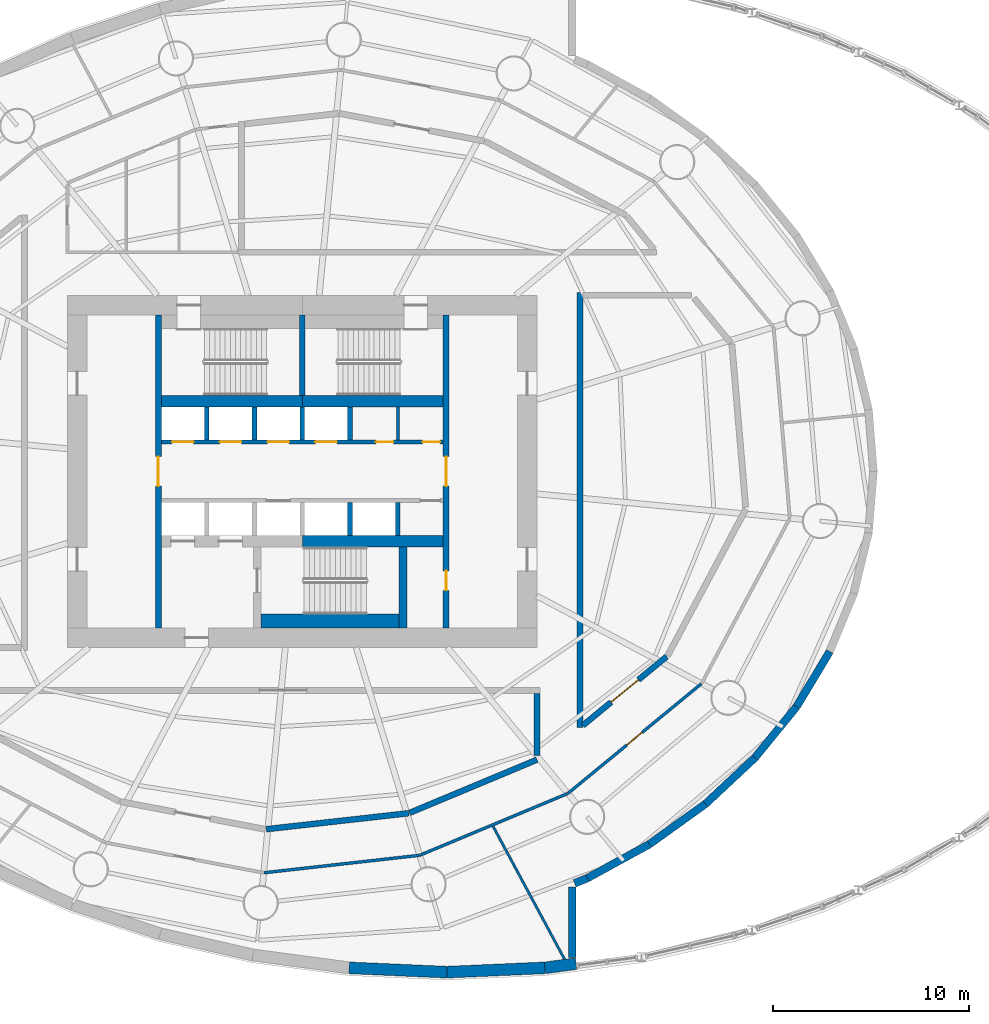
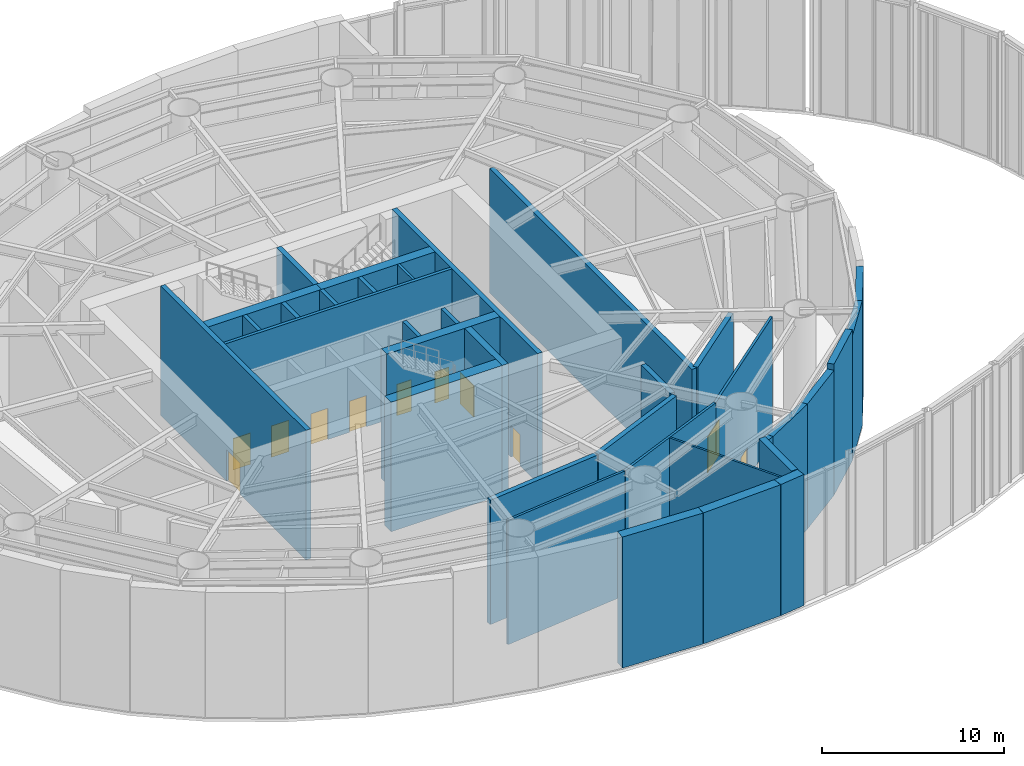
# One storey, part 15 of 19: 35 walls, 11 doors, 11 openings.
"""IFC4 building model written with IfcOpenShell, lengths in metres."""

from ifc_helpers import new_model, si_unit, direction, frame, frame_2d, origin, place, context, subcontext, project, spatial, rectangle, extrude, material, layer, layer_set, type_object, element, fill, save


model = new_model("IFC4")

# Units and contexts
model_context = context("Model", 3, precision=1e-05, world=origin(), true_north=direction((0.0, 1.0)))
body_context = subcontext(model_context, "Body", "Model", "MODEL_VIEW")
ifc_project = project(units=[si_unit("LENGTHUNIT", "METRE"), si_unit("AREAUNIT", "SQUARE_METRE"), si_unit("VOLUMEUNIT", "CUBIC_METRE"), si_unit("PLANEANGLEUNIT", "RADIAN"), si_unit("MASSUNIT", "GRAM", prefix="KILO")], contexts=[model_context])

# Site, building, storey
site_placement = place(None, origin())
site = spatial("IfcSite", under=ifc_project, at=site_placement, CompositionType="ELEMENT")
building_placement = place(site_placement, origin())
building = spatial("IfcBuilding", under=site, at=building_placement, Name="Vermilion Reach Broadcast Tower", CompositionType="ELEMENT")
storey_placement = place(building_placement, frame((0.0, 0.0, 17.0)))
storey = spatial("IfcBuildingStorey", under=building, at=storey_placement, Name="L02", CompositionType="ELEMENT", Elevation=17.0)

# Walls
ifc_material_1 = material(Name="Precast concrete C40/50 with acoustic cladding", Category="concrete")
ifc_layer_1 = layer(ifc_material_1, 0.39990234375)
ifc_layer_set_1 = layer_set([ifc_layer_1], Name="Atrium end wall 400")
wall_type_1 = type_object("IfcWallType", Name="Atrium end wall 400", PredefinedType="SOLIDWALL", material=ifc_layer_set_1)
wall_1_placement = place(storey_placement, frame((17.14013671875, -14.639892578125, 0.0), z_axis=(0.0, 0.0, 1.0), x_axis=(-0.730641209912, -0.682761614605, 0.0)))
element("IfcWall", 1, at=wall_1_placement, inside=storey, type_object=wall_type_1, Name="Podium wall L02 dru14", PredefinedType="SOLIDWALL", context=body_context, shape_type="SweptSolid", body=[
    extrude(rectangle(XDim=3.4521484375, YDim=0.39990234375, at=frame_2d((1.72607421875, 0.0))), origin(), (0.0, 0.0, 1.0), 8.800048828125),
])
wall_2_placement = place(storey_placement, frame((7.800048828125, -21.245849609375, 0.0), z_axis=(0.0, 0.0, 1.0), x_axis=(0.0, -1.0, 0.0)))
element("IfcWall", 2, at=wall_2_placement, inside=storey, type_object=wall_type_1, Name="Atrium end wall L02 2", PredefinedType="SOLIDWALL", context=body_context, shape_type="SweptSolid", body=[
    extrude(rectangle(XDim=3.599365234375, YDim=0.39990234375, at=frame_2d((1.7998046875, 0.0))), origin(), (0.0, 0.0, 1.0), 8.800048828125),
])
ifc_material_2 = material(Name="Precast concrete C40/50 with acoustic cladding", Category="concrete")
ifc_layer_2 = layer(ifc_material_2, 0.39990234375)
ifc_layer_set_2 = layer_set([ifc_layer_2], Name="Atrium end wall 400, head 400 below soffit")
wall_type_2 = type_object("IfcWallType", Name="Atrium end wall 400, head 400 below soffit", PredefinedType="SOLIDWALL", material=ifc_layer_set_2)
wall_3_placement = place(storey_placement, frame((20.964111328125, -9.211669921875, 0.0), z_axis=(0.0, 0.0, 1.0), x_axis=(-0.515586767828, -0.856837373625, 0.0)))
element("IfcWall", 3, at=wall_3_placement, inside=storey, type_object=wall_type_2, Name="Podium wall L02 dru12", PredefinedType="SOLIDWALL", context=body_context, shape_type="SweptSolid", body=[
    extrude(rectangle(XDim=3.28955078125, YDim=0.39990234375, at=frame_2d((1.644775390625, 0.0))), origin(), (0.0, 0.0, 1.0), 8.39990234375),
])
wall_4_placement = place(storey_placement, frame((19.26806640625, -12.0302734375, 0.0), z_axis=(0.0, 0.0, 1.0), x_axis=(-0.631953724698, -0.775006122453, 0.0)))
element("IfcWall", 4, at=wall_4_placement, inside=storey, type_object=wall_type_2, Name="Podium wall L02 dru13", PredefinedType="SOLIDWALL", context=body_context, shape_type="SweptSolid", body=[
    extrude(rectangle(XDim=3.3671875, YDim=0.39990234375, at=frame_2d((1.68359375, 0.0))), origin(), (0.0, 0.0, 1.0), 8.39990234375),
])
wall_5_placement = place(storey_placement, frame((14.617919921875, -16.996826171875, 0.0), z_axis=(0.0, 0.0, 1.0), x_axis=(-0.81205624831, -0.583579171648, 0.0)))
element("IfcWall", 5, at=wall_5_placement, inside=storey, type_object=wall_type_2, Name="Podium wall L02 dru15", PredefinedType="SOLIDWALL", context=body_context, shape_type="SweptSolid", body=[
    extrude(rectangle(XDim=3.5380859375, YDim=0.39990234375, at=frame_2d((1.76904296875, 0.0))), origin(), (0.0, 0.0, 1.0), 8.39990234375),
])
wall_6_placement = place(storey_placement, frame((11.744873046875, -19.0615234375, 0.0), z_axis=(0.0, 0.0, 1.0), x_axis=(-0.87711318505, -0.48028372928, 0.0)))
element("IfcWall", 6, at=wall_6_placement, inside=storey, type_object=wall_type_2, Name="Podium wall L02 dru16", PredefinedType="SOLIDWALL", context=body_context, shape_type="SweptSolid", body=[
    extrude(rectangle(XDim=3.61865234375, YDim=0.39990234375, at=frame_2d((1.809326171875, 0.0))), origin(), (0.0, 0.0, 1.0), 8.39990234375),
])
wall_7_placement = place(storey_placement, frame((8.57080078125, -20.799560546875, 0.0), z_axis=(0.0, 0.0, 1.0), x_axis=(-0.927141159757, -0.374712249444, 0.0)))
element("IfcWall", 7, at=wall_7_placement, inside=storey, type_object=wall_type_2, Name="Podium wall L02 dru17", PredefinedType="SOLIDWALL", context=body_context, shape_type="SweptSolid", body=[
    extrude(rectangle(XDim=0.696533203125, YDim=0.39990234375, at=frame_2d((0.34814453125, 0.0))), origin(), (0.0, 0.0, 1.0), 8.39990234375),
])

# Wall, opening, door
ifc_material_3 = material(Name="Concrete C70", Category="concrete")
ifc_layer_3 = layer(ifc_material_3, 0.300048828125)
ifc_layer_set_3 = layer_set([ifc_layer_3], Name="Core inner wall 300 mm Concrete C70")
wall_type_3 = type_object("IfcWallType", Name="Core inner wall 300 mm Concrete C70", PredefinedType="SHEAR", material=ifc_layer_set_3)
wall_8_placement = place(storey_placement, frame((-13.35009765625, 8.0, 0.0), z_axis=(0.0, 0.0, 1.0), x_axis=(0.0, -1.0, 0.0)))
wall_8 = element("IfcWall", 8, at=wall_8_placement, inside=storey, type_object=wall_type_3, Name="L02 core wall ewW", PredefinedType="SHEAR", context=body_context, shape_type="SweptSolid", body=[
    extrude(rectangle(XDim=16.0, YDim=0.300048828125, at=frame_2d((8.0, 0.0))), origin(), (0.0, 0.0, 1.0), 8.699951171875),
])
opening_1_placement = place(wall_8_placement, frame((7.25, 0.0, 0.0)))
opening_1 = element("IfcOpeningElement", 9, at=opening_1_placement, cuts=wall_8, Name="Opening D04", PredefinedType="OPENING", context=body_context, shape_type="SweptSolid", body=[
    extrude(rectangle(XDim=1.5, YDim=2.10009765625, at=frame_2d((0.75, 1.050048828125))), frame((0.0, 0.159912109375, 0.0), z_axis=(0.0, -1.0, 0.0), x_axis=(1.0, 0.0, 0.0)), (0.0, 0.0, 1.0), 0.320068359375),
])
ifc_material_4 = material(Name="Painted steel fire door", Category="steel")
door_type_1 = type_object("IfcDoorType", Name="Lift lobby door 1500 x 2100", OperationType="DOUBLE_DOOR_SINGLE_SWING", PredefinedType="NOTDEFINED", material=ifc_material_4)
door_1_placement = place(opening_1_placement, origin())
door_1 = element("IfcDoor", 10, at=door_1_placement, inside=storey, type_object=door_type_1, Name="L02 band door BW", OperationType="DOUBLE_DOOR_SINGLE_SWING", OverallHeight=2.10009765625, OverallWidth=1.5, PredefinedType="NOTDEFINED", context=body_context, shape_type="SweptSolid", body=[
    extrude(rectangle(XDim=1.5, YDim=2.10009765625, at=frame_2d((0.75, 1.050048828125))), frame((0.0, 0.02490234375, 0.0), z_axis=(0.0, -1.0, 0.0), x_axis=(1.0, 0.0, 0.0)), (0.0, 0.0, 1.0), 0.050048828125),
])
fill(opening_1, door_1)

# Wall, openings, doors
wall_9_placement = place(storey_placement, frame((1.35009765625, -8.0, 0.0), z_axis=(0.0, 0.0, 1.0), x_axis=(0.0, 1.0, 0.0)))
wall_9 = element("IfcWall", 11, at=wall_9_placement, inside=storey, type_object=wall_type_3, Name="L02 core wall ewE", PredefinedType="SHEAR", context=body_context, shape_type="SweptSolid", body=[
    extrude(rectangle(XDim=16.0, YDim=0.300048828125, at=frame_2d((8.0, 0.0))), origin(), (0.0, 0.0, 1.0), 8.699951171875),
])
opening_2_placement = place(wall_9_placement, frame((1.909912109375, 0.0, 0.0)))
opening_2 = element("IfcOpeningElement", 12, at=opening_2_placement, cuts=wall_9, Name="Opening D05", PredefinedType="OPENING", context=body_context, shape_type="SweptSolid", body=[
    extrude(rectangle(XDim=1.0, YDim=2.10009765625, at=frame_2d((0.5, 1.050048828125))), frame((0.0, 0.159912109375, 0.0), z_axis=(0.0, -1.0, 0.0), x_axis=(1.0, 0.0, 0.0)), (0.0, 0.0, 1.0), 0.320068359375),
])
opening_3_placement = place(wall_9_placement, frame((7.25, 0.0, 0.0)))
opening_3 = element("IfcOpeningElement", 13, at=opening_3_placement, cuts=wall_9, Name="Opening D04", PredefinedType="OPENING", context=body_context, shape_type="SweptSolid", body=[
    extrude(rectangle(XDim=1.5, YDim=2.10009765625, at=frame_2d((0.75, 1.050048828125))), frame((0.0, 0.159912109375, 0.0), z_axis=(0.0, -1.0, 0.0), x_axis=(1.0, 0.0, 0.0)), (0.0, 0.0, 1.0), 0.320068359375),
])
door_2_placement = place(opening_3_placement, origin())
door_2 = element("IfcDoor", 14, at=door_2_placement, inside=storey, type_object=door_type_1, Name="L02 band door BE", OperationType="DOUBLE_DOOR_SINGLE_SWING", OverallHeight=2.10009765625, OverallWidth=1.5, PredefinedType="NOTDEFINED", context=body_context, shape_type="SweptSolid", body=[
    extrude(rectangle(XDim=1.5, YDim=2.10009765625, at=frame_2d((0.75, 1.050048828125))), frame((0.0, 0.02490234375, 0.0), z_axis=(0.0, -1.0, 0.0), x_axis=(1.0, 0.0, 0.0)), (0.0, 0.0, 1.0), 0.050048828125),
])
fill(opening_3, door_2)
ifc_material_5 = material(Name="Timber door", Category="wood")
door_type_2 = type_object("IfcDoorType", Name="Room door 1000 x 2100", OperationType="NOTDEFINED", PredefinedType="NOTDEFINED", material=ifc_material_5)
door_3_placement = place(opening_2_placement, origin())
door_3 = element("IfcDoor", 15, at=door_3_placement, inside=storey, type_object=door_type_2, Name="L02 door SER", OperationType="SINGLE_SWING_LEFT", OverallHeight=2.10009765625, OverallWidth=1.0, PredefinedType="NOTDEFINED", context=body_context, shape_type="SweptSolid", body=[
    extrude(rectangle(XDim=1.0, YDim=2.10009765625, at=frame_2d((0.5, 1.050048828125))), frame((0.0, 0.02490234375, 0.0), z_axis=(0.0, -1.0, 0.0), x_axis=(1.0, 0.0, 0.0)), (0.0, 0.0, 1.0), 0.050048828125),
])
fill(opening_2, door_3)

# Walls
wall_10_placement = place(storey_placement, frame((-6.0, 3.8798828125, 0.0), z_axis=(0.0, 0.0, 1.0), x_axis=(0.0, 1.0, 0.0)))
element("IfcWall", 16, at=wall_10_placement, inside=storey, type_object=wall_type_3, Name="L02 core wall wc", PredefinedType="SHEAR", context=body_context, shape_type="SweptSolid", body=[
    extrude(rectangle(XDim=4.1201171875, YDim=0.300048828125, at=frame_2d((2.06005859375, 0.0))), origin(), (0.0, 0.0, 1.0), 8.699951171875),
])
ifc_material_6 = material(Name="Concrete C70", Category="concrete")
ifc_layer_4 = layer(ifc_material_6, 0.39990234375)
ifc_layer_set_4 = layer_set([ifc_layer_4], Name="Core inner wall 400 mm Concrete C70")
wall_type_4 = type_object("IfcWallType", Name="Core inner wall 400 mm Concrete C70", PredefinedType="SHEAR", material=ifc_layer_set_4)
wall_11_placement = place(storey_placement, frame((-0.85009765625, -3.8798828125, 0.0), z_axis=(0.0, 0.0, 1.0), x_axis=(0.0, -1.0, 0.0)))
element("IfcWall", 17, at=wall_11_placement, inside=storey, type_object=wall_type_4, Name="L02 core wall wb", PredefinedType="SHEAR", context=body_context, shape_type="SweptSolid", body=[
    extrude(rectangle(XDim=4.1201171875, YDim=0.39990234375, at=frame_2d((2.06005859375, 0.0))), origin(), (0.0, 0.0, 1.0), 8.699951171875),
])
ifc_material_7 = material(Name="Concrete C70", Category="concrete")
ifc_layer_5 = layer(ifc_material_7, 0.60009765625)
ifc_layer_set_5 = layer_set([ifc_layer_5], Name="Core inner wall 600 mm Concrete C70")
wall_type_5 = type_object("IfcWallType", Name="Core inner wall 600 mm Concrete C70", PredefinedType="SHEAR", material=ifc_layer_set_5)
for number, where, z_axis, x_axis, name in (
    (18, (-13.199951171875, 3.580078125, 0.0), (0.0, 0.0, 1.0), (1.0, 0.0, 0.0), "L02 core wall winW"),
    (19, (-6.0, 3.580078125, 0.0), (0.0, 0.0, 1.0), (1.0, 0.0, 0.0), "L02 core wall winE"),
    (20, (-6.0, -3.580078125, 0.0), (0.0, 0.0, 1.0), (1.0, 0.0, 0.0), "L02 core wall wisE"),
):
    element("IfcWall", number, at=place(storey_placement, frame(where, z_axis=z_axis, x_axis=x_axis)), inside=storey, type_object=wall_type_5, Name=name, PredefinedType="SHEAR", context=body_context, shape_type="SweptSolid", body=[
        extrude(rectangle(XDim=7.199951171875, YDim=0.60009765625, at=frame_2d((3.60009765625, 0.0))), origin(), (0.0, 0.0, 1.0), 8.699951171875),
    ])
ifc_material_8 = material(Name="Masonry block", Category="masonry")
ifc_layer_6 = layer(ifc_material_8, 0.14990234375)
ifc_layer_set_6 = layer_set([ifc_layer_6], Name="Core partition wall 150 mm Masonry block")
wall_type_6 = type_object("IfcWallType", Name="Core partition wall 150 mm Masonry block", PredefinedType="PARTITIONING", material=ifc_layer_set_6)
wall_12_placement = place(storey_placement, frame((-1.11669921875, 1.60009765625, 0.0), z_axis=(0.0, 0.0, 1.0), x_axis=(0.0, 1.0, 0.0)))
element("IfcWall", 21, at=wall_12_placement, inside=storey, type_object=wall_type_6, Name="L02 core wall prN4883", PredefinedType="PARTITIONING", context=body_context, shape_type="SweptSolid", body=[
    extrude(rectangle(XDim=1.679931640625, YDim=0.14990234375, at=frame_2d((0.83984375, 0.0))), origin(), (0.0, 0.0, 1.0), 8.699951171875),
])

# Wall, openings, doors
ifc_material_9 = material(Name="Concrete C50", Category="concrete")
ifc_layer_7 = layer(ifc_material_9, 0.199951171875)
ifc_layer_set_7 = layer_set([ifc_layer_7], Name="Core shaft wall 200 mm Concrete C50")
wall_type_7 = type_object("IfcWallType", Name="Core shaft wall 200 mm Concrete C50", PredefinedType="SHEAR", material=ifc_layer_set_7)
wall_13_placement = place(storey_placement, frame((-13.199951171875, 1.5, 0.0), z_axis=(0.0, 0.0, 1.0), x_axis=(1.0, 0.0, 0.0)))
wall_13 = element("IfcWall", 22, at=wall_13_placement, inside=storey, type_object=wall_type_7, Name="L02 core wall fn", PredefinedType="SHEAR", context=body_context, shape_type="SweptSolid", body=[
    extrude(rectangle(XDim=14.39990234375, YDim=0.199951171875, at=frame_2d((7.199951171875, 0.0))), origin(), (0.0, 0.0, 1.0), 8.699951171875),
])
opening_4_placement = place(wall_13_placement, frame((0.5458984375, 0.0, 0.0)))
opening_4 = element("IfcOpeningElement", 23, at=opening_4_placement, cuts=wall_13, Name="Opening LD2", PredefinedType="OPENING", context=body_context, shape_type="SweptSolid", body=[
    extrude(rectangle(XDim=1.10009765625, YDim=2.10009765625, at=frame_2d((0.550048828125, 1.050048828125))), frame((0.0, 0.10986328125, 0.0), z_axis=(0.0, -1.0, 0.0), x_axis=(1.0, 0.0, 0.0)), (0.0, 0.0, 1.0), 0.219970703125),
])
opening_5_placement = place(wall_13_placement, frame((2.987548828125, 0.0, 0.0)))
opening_5 = element("IfcOpeningElement", 24, at=opening_5_placement, cuts=wall_13, Name="Opening LD2", PredefinedType="OPENING", context=body_context, shape_type="SweptSolid", body=[
    extrude(rectangle(XDim=1.10009765625, YDim=2.10009765625, at=frame_2d((0.550048828125, 1.050048828125))), frame((0.0, 0.10986328125, 0.0), z_axis=(0.0, -1.0, 0.0), x_axis=(1.0, 0.0, 0.0)), (0.0, 0.0, 1.0), 0.219970703125),
])
opening_6_placement = place(wall_13_placement, frame((5.42919921875, 0.0, 0.0)))
opening_6 = element("IfcOpeningElement", 25, at=opening_6_placement, cuts=wall_13, Name="Opening LD2", PredefinedType="OPENING", context=body_context, shape_type="SweptSolid", body=[
    extrude(rectangle(XDim=1.10009765625, YDim=2.10009765625, at=frame_2d((0.550048828125, 1.050048828125))), frame((0.0, 0.10986328125, 0.0), z_axis=(0.0, -1.0, 0.0), x_axis=(1.0, 0.0, 0.0)), (0.0, 0.0, 1.0), 0.219970703125),
])
opening_7_placement = place(wall_13_placement, frame((7.870849609375, 0.0, 0.0)))
opening_7 = element("IfcOpeningElement", 26, at=opening_7_placement, cuts=wall_13, Name="Opening LD2", PredefinedType="OPENING", context=body_context, shape_type="SweptSolid", body=[
    extrude(rectangle(XDim=1.10009765625, YDim=2.10009765625, at=frame_2d((0.550048828125, 1.050048828125))), frame((0.0, 0.10986328125, 0.0), z_axis=(0.0, -1.0, 0.0), x_axis=(1.0, 0.0, 0.0)), (0.0, 0.0, 1.0), 0.219970703125),
])
opening_8_placement = place(wall_13_placement, frame((10.958251953125, 0.0, 0.0)))
opening_8 = element("IfcOpeningElement", 27, at=opening_8_placement, cuts=wall_13, Name="Opening D06", PredefinedType="OPENING", context=body_context, shape_type="SweptSolid", body=[
    extrude(rectangle(XDim=0.89990234375, YDim=2.10009765625, at=frame_2d((0.449951171875, 1.050048828125))), frame((0.0, 0.10986328125, 0.0), z_axis=(0.0, -1.0, 0.0), x_axis=(1.0, 0.0, 0.0)), (0.0, 0.0, 1.0), 0.219970703125),
])
opening_9_placement = place(wall_13_placement, frame((13.35009765625, 0.0, 0.0)))
opening_9 = element("IfcOpeningElement", 28, at=opening_9_placement, cuts=wall_13, Name="Opening D06", PredefinedType="OPENING", context=body_context, shape_type="SweptSolid", body=[
    extrude(rectangle(XDim=0.89990234375, YDim=2.10009765625, at=frame_2d((0.449951171875, 1.050048828125))), frame((0.0, 0.10986328125, 0.0), z_axis=(0.0, -1.0, 0.0), x_axis=(1.0, 0.0, 0.0)), (0.0, 0.0, 1.0), 0.219970703125),
])
ifc_material_10 = material(Name="Stainless steel", Category="steel")
door_type_3 = type_object("IfcDoorType", Name="Landing door 1100 x 2100", OperationType="DOUBLE_DOOR_SLIDING", PredefinedType="NOTDEFINED", material=ifc_material_10)
door_4_placement = place(opening_4_placement, origin())
door_4 = element("IfcDoor", 29, at=door_4_placement, inside=storey, type_object=door_type_3, Name="L02 landing door LR1", OperationType="DOUBLE_DOOR_SLIDING", OverallHeight=2.10009765625, OverallWidth=1.10009765625, PredefinedType="NOTDEFINED", context=body_context, shape_type="SweptSolid", body=[
    extrude(rectangle(XDim=1.10009765625, YDim=2.10009765625, at=frame_2d((0.550048828125, 1.050048828125))), frame((0.0, 0.02490234375, 0.0), z_axis=(0.0, -1.0, 0.0), x_axis=(1.0, 0.0, 0.0)), (0.0, 0.0, 1.0), 0.050048828125),
])
fill(opening_4, door_4)
door_5_placement = place(opening_5_placement, origin())
door_5 = element("IfcDoor", 30, at=door_5_placement, inside=storey, type_object=door_type_3, Name="L02 landing door LR2", OperationType="DOUBLE_DOOR_SLIDING", OverallHeight=2.10009765625, OverallWidth=1.10009765625, PredefinedType="NOTDEFINED", context=body_context, shape_type="SweptSolid", body=[
    extrude(rectangle(XDim=1.10009765625, YDim=2.10009765625, at=frame_2d((0.550048828125, 1.050048828125))), frame((0.0, 0.02490234375, 0.0), z_axis=(0.0, -1.0, 0.0), x_axis=(1.0, 0.0, 0.0)), (0.0, 0.0, 1.0), 0.050048828125),
])
fill(opening_5, door_5)
door_6_placement = place(opening_6_placement, origin())
door_6 = element("IfcDoor", 31, at=door_6_placement, inside=storey, type_object=door_type_3, Name="L02 landing door LR3", OperationType="DOUBLE_DOOR_SLIDING", OverallHeight=2.10009765625, OverallWidth=1.10009765625, PredefinedType="NOTDEFINED", context=body_context, shape_type="SweptSolid", body=[
    extrude(rectangle(XDim=1.10009765625, YDim=2.10009765625, at=frame_2d((0.550048828125, 1.050048828125))), frame((0.0, 0.02490234375, 0.0), z_axis=(0.0, -1.0, 0.0), x_axis=(1.0, 0.0, 0.0)), (0.0, 0.0, 1.0), 0.050048828125),
])
fill(opening_6, door_6)
door_7_placement = place(opening_7_placement, origin())
door_7 = element("IfcDoor", 32, at=door_7_placement, inside=storey, type_object=door_type_3, Name="L02 landing door LR4", OperationType="DOUBLE_DOOR_SLIDING", OverallHeight=2.10009765625, OverallWidth=1.10009765625, PredefinedType="NOTDEFINED", context=body_context, shape_type="SweptSolid", body=[
    extrude(rectangle(XDim=1.10009765625, YDim=2.10009765625, at=frame_2d((0.550048828125, 1.050048828125))), frame((0.0, 0.02490234375, 0.0), z_axis=(0.0, -1.0, 0.0), x_axis=(1.0, 0.0, 0.0)), (0.0, 0.0, 1.0), 0.050048828125),
])
fill(opening_7, door_7)
ifc_material_11 = material(Name="Timber door", Category="wood")
door_type_4 = type_object("IfcDoorType", Name="WC door 900 x 2100", OperationType="NOTDEFINED", PredefinedType="NOTDEFINED", material=ifc_material_11)
door_8_placement = place(opening_8_placement, origin())
door_8 = element("IfcDoor", 33, at=door_8_placement, inside=storey, type_object=door_type_4, Name="L02 door Female WC", OperationType="SINGLE_SWING_RIGHT", OverallHeight=2.10009765625, OverallWidth=0.89990234375, PredefinedType="NOTDEFINED", context=body_context, shape_type="SweptSolid", body=[
    extrude(rectangle(XDim=0.89990234375, YDim=2.10009765625, at=frame_2d((0.449951171875, 1.050048828125))), frame((0.0, 0.02490234375, 0.0), z_axis=(0.0, -1.0, 0.0), x_axis=(1.0, 0.0, 0.0)), (0.0, 0.0, 1.0), 0.050048828125),
])
fill(opening_8, door_8)
door_9_placement = place(opening_9_placement, origin())
door_9 = element("IfcDoor", 34, at=door_9_placement, inside=storey, type_object=door_type_4, Name="L02 door Male WC", OperationType="SINGLE_SWING_RIGHT", OverallHeight=2.10009765625, OverallWidth=0.89990234375, PredefinedType="NOTDEFINED", context=body_context, shape_type="SweptSolid", body=[
    extrude(rectangle(XDim=0.89990234375, YDim=2.10009765625, at=frame_2d((0.449951171875, 1.050048828125))), frame((0.0, 0.02490234375, 0.0), z_axis=(0.0, -1.0, 0.0), x_axis=(1.0, 0.0, 0.0)), (0.0, 0.0, 1.0), 0.050048828125),
])
fill(opening_9, door_9)

# Walls
ifc_material_12 = material(Name="Concrete C50", Category="concrete")
ifc_layer_8 = layer(ifc_material_12, 0.25)
ifc_layer_set_8 = layer_set([ifc_layer_8], Name="Core shaft wall 250 mm Concrete C50")
wall_type_8 = type_object("IfcWallType", Name="Core shaft wall 250 mm Concrete C50", PredefinedType="SHEAR", material=ifc_layer_set_8)
for number, where, z_axis, x_axis, name in (
    (35, (-10.88330078125, 1.60009765625, 0.0), (0.0, 0.0, 1.0), (0.0, 1.0, 0.0), "L02 core wall psN0"),
    (36, (-8.441650390625, 1.60009765625, 0.0), (0.0, 0.0, 1.0), (0.0, 1.0, 0.0), "L02 core wall psN1"),
    (37, (-6.0, 1.60009765625, 0.0), (0.0, 0.0, 1.0), (0.0, 1.0, 0.0), "L02 core wall psN2"),
    (38, (-3.558349609375, 1.60009765625, 0.0), (0.0, 0.0, 1.0), (0.0, 1.0, 0.0), "L02 core wall psN3"),
    (39, (-3.558349609375, -1.60009765625, 0.0), (0.0, 0.0, 1.0), (0.0, -1.0, 0.0), "L02 core wall psS3"),
    (40, (-1.11669921875, -1.60009765625, 0.0), (0.0, 0.0, 1.0), (0.0, -1.0, 0.0), "L02 core wall psS4"),
):
    element("IfcWall", number, at=place(storey_placement, frame(where, z_axis=z_axis, x_axis=x_axis)), inside=storey, type_object=wall_type_8, Name=name, PredefinedType="SHEAR", context=body_context, shape_type="SweptSolid", body=[
        extrude(rectangle(XDim=1.679931640625, YDim=0.25, at=frame_2d((0.83984375, 0.0))), origin(), (0.0, 0.0, 1.0), 8.699951171875),
    ])
ifc_material_13 = material(Name="Concrete C70", Category="concrete")
ifc_layer_9 = layer(ifc_material_13, 0.699951171875)
ifc_layer_set_9 = layer_set([ifc_layer_9], Name="Core stair wall 700 mm Concrete C70")
wall_type_9 = type_object("IfcWallType", Name="Core stair wall 700 mm Concrete C70", PredefinedType="SHEAR", material=ifc_layer_set_9)
wall_14_placement = place(storey_placement, frame((-8.10009765625, -7.64990234375, 0.0), z_axis=(0.0, 0.0, 1.0), x_axis=(1.0, 0.0, 0.0)))
element("IfcWall", 41, at=wall_14_placement, inside=storey, type_object=wall_type_9, Name="L02 core wall l3", PredefinedType="SHEAR", context=body_context, shape_type="SweptSolid", body=[
    extrude(rectangle(XDim=7.050048828125, YDim=0.699951171875, at=frame_2d((3.52490234375, 0.0))), origin(), (0.0, 0.0, 1.0), 8.699951171875),
])
ifc_material_14 = material(Name="Gypsum board partition")
ifc_layer_10 = layer(ifc_material_14, 0.14990234375)
ifc_layer_set_10 = layer_set([ifc_layer_10], Name="Corridor wall 150")
wall_type_10 = type_object("IfcWallType", Name="Corridor wall 150", PredefinedType="PARTITIONING", material=ifc_layer_set_10)
wall_15_placement = place(storey_placement, frame((-7.94921875, -20.518310546875, 0.0), z_axis=(0.0, 0.0, 1.0), x_axis=(0.993764533241, 0.11149911422, 0.0)))
element("IfcWall", 42, at=wall_15_placement, inside=storey, type_object=wall_type_10, Name="sp.wall.L02.049", PredefinedType="PARTITIONING", context=body_context, shape_type="SweptSolid", body=[
    extrude(rectangle(XDim=7.981201171875, YDim=0.14990234375, at=frame_2d((3.99072265625, 0.0))), origin(), (0.0, 0.0, 1.0), 8.35009765625),
])
wall_16_placement = place(storey_placement, frame((0.00390625, -19.6259765625, 0.0), z_axis=(0.0, 0.0, 1.0), x_axis=(0.922818121352, 0.385235921097, 0.0)))
element("IfcWall", 43, at=wall_16_placement, inside=storey, type_object=wall_type_10, Name="sp.wall.L02.050", PredefinedType="PARTITIONING", context=body_context, shape_type="SweptSolid", body=[
    extrude(rectangle(XDim=8.18408203125, YDim=0.14990234375, at=frame_2d((4.092041015625, 0.0))), origin(), (0.0, 0.0, 1.0), 8.35009765625),
])

# Wall, opening, door
wall_17_placement = place(storey_placement, frame((7.5771484375, -16.464599609375, 0.0), z_axis=(0.0, 0.0, 1.0), x_axis=(0.772575830308, 0.634922504266, 0.0)))
wall_17 = element("IfcWall", 44, at=wall_17_placement, inside=storey, type_object=wall_type_10, Name="sp.wall.L02.051", PredefinedType="PARTITIONING", context=body_context, shape_type="SweptSolid", body=[
    extrude(rectangle(XDim=8.814697265625, YDim=0.14990234375, at=frame_2d((4.4072265625, 0.0))), origin(), (0.0, 0.0, 1.0), 8.35009765625),
])
opening_10_placement = place(wall_17_placement, frame((3.9072265625, 0.0, 0.0)))
opening_10 = element("IfcOpeningElement", 45, at=opening_10_placement, cuts=wall_17, Name="Opening D50", PredefinedType="OPENING", context=body_context, shape_type="SweptSolid", body=[
    extrude(rectangle(XDim=1.0, YDim=2.10009765625, at=frame_2d((0.5, 1.050048828125))), frame((0.0, 0.0849609375, 0.0), z_axis=(0.0, -1.0, 0.0), x_axis=(1.0, 0.0, 0.0)), (0.0, 0.0, 1.0), 0.169921875),
])
ifc_material_15 = material(Name="Timber and steel door set", Category="steel")
door_type_5 = type_object("IfcDoorType", Name="Door 1000x2100", OperationType="NOTDEFINED", PredefinedType="DOOR", material=ifc_material_15)
door_10_placement = place(opening_10_placement, origin())
door_10 = element("IfcDoor", 46, at=door_10_placement, inside=storey, type_object=door_type_5, Name="sp.door.L02.012", OperationType="SINGLE_SWING_RIGHT", OverallHeight=2.10009765625, OverallWidth=1.0, PredefinedType="DOOR", context=body_context, shape_type="SweptSolid", body=[
    extrude(rectangle(XDim=1.0, YDim=2.10009765625, at=frame_2d((0.5, 1.050048828125))), frame((0.0, 0.02490234375, 0.0), z_axis=(0.0, -1.0, 0.0), x_axis=(1.0, 0.0, 0.0)), (0.0, 0.0, 1.0), 0.050048828125),
])
fill(opening_10, door_10)

# Walls
ifc_material_16 = material(Name="Gypsum board partition")
ifc_layer_11 = layer(ifc_material_16, 0.125)
ifc_layer_set_11 = layer_set([ifc_layer_11], Name="Partition 125 plasterboard")
wall_type_11 = type_object("IfcWallType", Name="Partition 125 plasterboard", PredefinedType="PARTITIONING", material=ifc_layer_set_11)
wall_18_placement = place(storey_placement, frame((3.75537109375, -18.14794921875, 0.0), z_axis=(0.0, 0.0, 1.0), x_axis=(0.473465520946, -0.88081235259, 0.0)))
element("IfcWall", 47, at=wall_18_placement, inside=storey, type_object=wall_type_11, Name="sp.wall.L02.039", PredefinedType="PARTITIONING", context=body_context, shape_type="SweptSolid", body=[
    extrude(rectangle(XDim=7.713623046875, YDim=0.125, at=frame_2d((3.85693359375, 0.0))), origin(), (0.0, 0.0, 1.0), 8.35009765625),
])
ifc_material_17 = material(Name="Precast concrete C40/50 with acoustic cladding", Category="concrete")
ifc_layer_12 = layer(ifc_material_17, 0.60009765625)
ifc_layer_set_12 = layer_set([ifc_layer_12], Name="Podium acoustic wall 600")
wall_type_12 = type_object("IfcWallType", Name="Podium acoustic wall 600", PredefinedType="SOLIDWALL", material=ifc_layer_set_12)
wall_19_placement = place(storey_placement, frame((-3.60302734375, -25.379150390625, 0.0), z_axis=(0.0, 0.0, 1.0), x_axis=(0.999026213515, -0.044120570136, 0.0)))
element("IfcWall", 48, at=wall_19_placement, inside=storey, type_object=wall_type_12, Name="Podium wall L02 str25", PredefinedType="SOLIDWALL", context=body_context, shape_type="SweptSolid", body=[
    extrude(rectangle(XDim=5.0078125, YDim=0.60009765625, at=frame_2d((2.50390625, 0.0))), origin(), (0.0, 0.0, 1.0), 8.800048828125),
])
wall_20_placement = place(storey_placement, frame((1.39990234375, -25.60009765625, 0.0), z_axis=(0.0, 0.0, 1.0), x_axis=(0.99902630841, 0.044118421369, 0.0)))
element("IfcWall", 49, at=wall_20_placement, inside=storey, type_object=wall_type_12, Name="Podium wall L02 str26", PredefinedType="SOLIDWALL", context=body_context, shape_type="SweptSolid", body=[
    extrude(rectangle(XDim=5.008056640625, YDim=0.60009765625, at=frame_2d((2.50390625, 0.0))), origin(), (0.0, 0.0, 1.0), 8.800048828125),
])
wall_21_placement = place(storey_placement, frame((6.403076171875, -25.379150390625, 0.0), z_axis=(0.0, 0.0, 1.0), x_axis=(0.991131029833, 0.132888230112, 0.0)))
element("IfcWall", 50, at=wall_21_placement, inside=storey, type_object=wall_type_12, Name="Podium wall L02 str27", PredefinedType="SOLIDWALL", context=body_context, shape_type="SweptSolid", body=[
    extrude(rectangle(XDim=1.611328125, YDim=0.60009765625, at=frame_2d((0.8056640625, 0.0))), origin(), (0.0, 0.0, 1.0), 8.800048828125),
])
ifc_material_18 = material(Name="Gypsum board double-leaf partition")
ifc_layer_13 = layer(ifc_material_18, 0.300048828125)
ifc_layer_set_13 = layer_set([ifc_layer_13], Name="Studio acoustic wall 300")
wall_type_13 = type_object("IfcWallType", Name="Studio acoustic wall 300", PredefinedType="PARTITIONING", material=ifc_layer_set_13)
wall_22_placement = place(storey_placement, frame((8.199951171875, -13.10498046875, 0.0), z_axis=(0.0, 0.0, 1.0), x_axis=(0.0, 1.0, 0.0)))
element("IfcWall", 51, at=wall_22_placement, inside=storey, type_object=wall_type_13, Name="sp.wall.L02.004", PredefinedType="PARTITIONING", context=body_context, shape_type="SweptSolid", body=[
    extrude(rectangle(XDim=22.255126953125, YDim=0.300048828125, at=frame_2d((11.12744140625, 0.0))), origin(), (0.0, 0.0, 1.0), 8.35009765625),
])
wall_23_placement = place(storey_placement, frame((6.0, -14.513671875, 0.0), z_axis=(0.0, 0.0, 1.0), x_axis=(0.0, 1.0, 0.0)))
element("IfcWall", 52, at=wall_23_placement, inside=storey, type_object=wall_type_13, Name="sp.wall.L02.007", PredefinedType="PARTITIONING", context=body_context, shape_type="SweptSolid", body=[
    extrude(rectangle(XDim=3.16357421875, YDim=0.300048828125, at=frame_2d((1.581787109375, 0.0))), origin(), (0.0, 0.0, 1.0), 8.35009765625),
])
wall_24_placement = place(storey_placement, frame((-0.51318359375, -17.457763671875, 0.0), z_axis=(0.0, 0.0, 1.0), x_axis=(0.922816768599, 0.385239161552, 0.0)))
element("IfcWall", 53, at=wall_24_placement, inside=storey, type_object=wall_type_13, Name="sp.wall.L02.026", PredefinedType="PARTITIONING", context=body_context, shape_type="SweptSolid", body=[
    extrude(rectangle(XDim=7.057861328125, YDim=0.300048828125, at=frame_2d((3.52880859375, 0.0))), origin(), (0.0, 0.0, 1.0), 8.35009765625),
])
wall_25_placement = place(storey_placement, frame((-7.84033203125, -18.29248046875, 0.0), z_axis=(0.0, 0.0, 1.0), x_axis=(0.993760088273, 0.111538724016, 0.0)))
element("IfcWall", 54, at=wall_25_placement, inside=storey, type_object=wall_type_13, Name="sp.wall.L02.027", PredefinedType="PARTITIONING", context=body_context, shape_type="SweptSolid", body=[
    extrude(rectangle(XDim=7.33251953125, YDim=0.300048828125, at=frame_2d((3.666259765625, 0.0))), origin(), (0.0, 0.0, 1.0), 8.35009765625),
])

# Wall, opening, door
wall_26_placement = place(storey_placement, frame((8.341064453125, -12.989013671875, 0.0), z_axis=(0.0, 0.0, 1.0), x_axis=(0.772581343642, 0.634915795564, 0.0)))
wall_26 = element("IfcWall", 55, at=wall_26_placement, inside=storey, type_object=wall_type_13, Name="sp.wall.L02.030", PredefinedType="PARTITIONING", context=body_context, shape_type="SweptSolid", body=[
    extrude(rectangle(XDim=5.549072265625, YDim=0.300048828125, at=frame_2d((2.7744140625, 0.0))), origin(), (0.0, 0.0, 1.0), 8.35009765625),
])
opening_11_placement = place(wall_26_placement, frame((1.87451171875, 0.0, 0.0)))
opening_11 = element("IfcOpeningElement", 56, at=opening_11_placement, cuts=wall_26, Name="Opening D52", PredefinedType="OPENING", context=body_context, shape_type="SweptSolid", body=[
    extrude(rectangle(XDim=1.800048828125, YDim=2.39990234375, at=frame_2d((0.89990234375, 1.199951171875))), frame((0.0, 0.159912109375, 0.0), z_axis=(0.0, -1.0, 0.0), x_axis=(1.0, 0.0, 0.0)), (0.0, 0.0, 1.0), 0.320068359375),
])
ifc_material_19 = material(Name="Timber and steel door set", Category="steel")
door_type_6 = type_object("IfcDoorType", Name="Studio sound lock door 1800x2400", OperationType="NOTDEFINED", PredefinedType="DOOR", material=ifc_material_19)
door_11_placement = place(opening_11_placement, origin())
door_11 = element("IfcDoor", 57, at=door_11_placement, inside=storey, type_object=door_type_6, Name="sp.door.L02.006", OperationType="DOUBLE_DOOR_SINGLE_SWING", OverallHeight=2.39990234375, OverallWidth=1.800048828125, PredefinedType="DOOR", context=body_context, shape_type="SweptSolid", body=[
    extrude(rectangle(XDim=1.800048828125, YDim=2.39990234375, at=frame_2d((0.89990234375, 1.199951171875))), frame((0.0, 0.02490234375, 0.0), z_axis=(0.0, -1.0, 0.0), x_axis=(1.0, 0.0, 0.0)), (0.0, 0.0, 1.0), 0.050048828125),
])
fill(opening_11, door_11)

save(model, "model.ifc")
